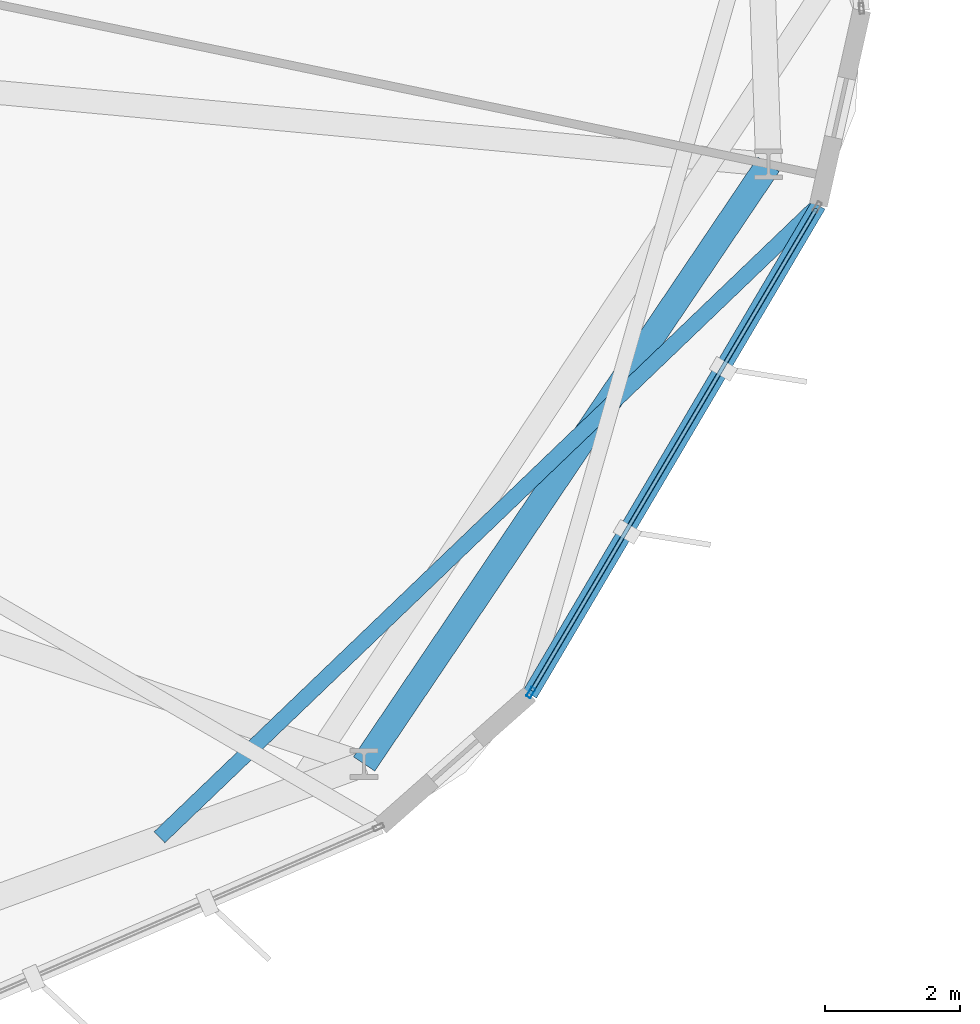
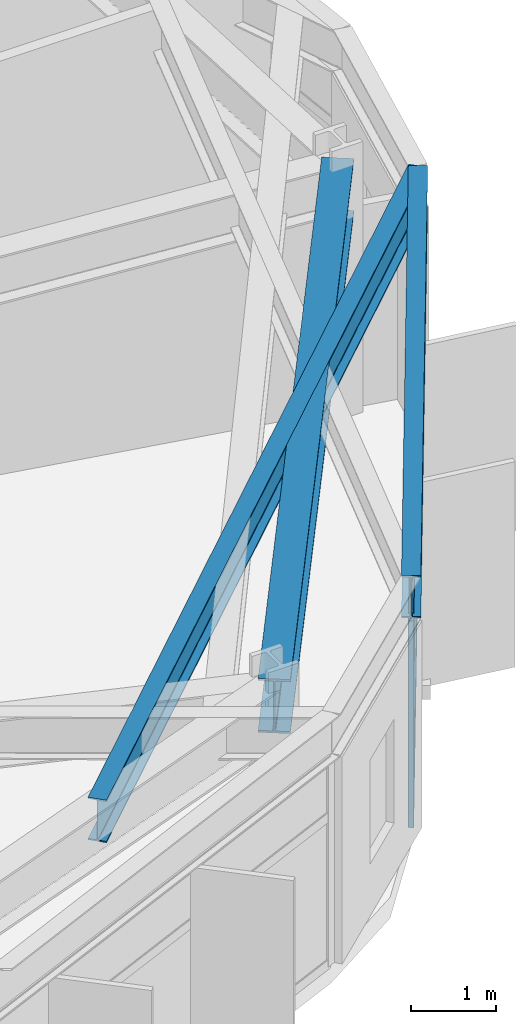
# One storey, part 10 of 23: 4 members, 3 beams, 1 element without a shape of its own.
"""IFC4 building model written with IfcOpenShell, lengths in metres."""

from ifc_helpers import new_model, si_unit, direction, frame, origin, origin_2d, place, context, subcontext, project, spatial, hollow_rectangle, i_section, extrude, material, layer, layer_set, material_profile, profile_set, type_object, element, aggregate, save


model = new_model("IFC4")

# Units and contexts
model_context = context("Model", 3, precision=1e-05, world=origin(), true_north=direction((0.0, 1.0)))
body_context = subcontext(model_context, "Body", "Model", "MODEL_VIEW")
ifc_project = project(units=[si_unit("LENGTHUNIT", "METRE"), si_unit("AREAUNIT", "SQUARE_METRE"), si_unit("VOLUMEUNIT", "CUBIC_METRE"), si_unit("PLANEANGLEUNIT", "RADIAN"), si_unit("MASSUNIT", "GRAM", prefix="KILO")], contexts=[model_context])

# Site, building, storey
site_placement = place(None, origin())
site = spatial("IfcSite", under=ifc_project, at=site_placement, CompositionType="ELEMENT")
building_placement = place(site_placement, origin())
building = spatial("IfcBuilding", under=site, at=building_placement, Name="Soratama Intermodal Tower", CompositionType="ELEMENT")
storey_placement = place(building_placement, frame((0.0, 0.0, 118.60009765625)))
storey = spatial("IfcBuildingStorey", under=building, at=storey_placement, Name="L28", CompositionType="ELEMENT", Elevation=118.60009765625)

# Beams
ifc_material_1 = material(Name="Structural steel ASTM A992 Grade 50", Category="steel")
ifc_material_profile_1 = material_profile(ifc_material_1, i_section(OverallWidth=0.382080078125, OverallDepth=0.779052734375, WebThickness=0.01806640625, FlangeThickness=0.030029296875, FilletRadius=0.01806640625, at=origin_2d()), Name="W30X191")
ifc_profile_set_1 = profile_set([ifc_material_profile_1], Name="Structural steel ASTM A992 Grade 50")
beam_type_1 = type_object("IfcBeamType", Name="BM-RING-W30X191", PredefinedType="BEAM", material=ifc_profile_set_1)
beam_1_placement = place(storey_placement, frame((55.7119140625, 11.2890625, 3.21044921875), z_axis=(0.559249807749, 0.828999187293, 0.0), x_axis=(-0.828999187293, 0.559249807749, 0.0)))
element("IfcBeam", 1, at=beam_1_placement, inside=storey, type_object=beam_type_1, Name="BM-L28-RING-09", PredefinedType="BEAM", context=body_context, shape_type="SweptSolid", body=[
    extrude(i_section(OverallWidth=0.382080078125, OverallDepth=0.779052734375, WebThickness=0.01806640625, FlangeThickness=0.030029296875, FilletRadius=0.01806640625, at=origin_2d()), origin(), (0.0, 0.0, 1.0), 10.75390625),
])
ifc_material_2 = material(Name="Structural steel ASTM A992 Grade 50", Category="steel")
ifc_material_profile_2 = material_profile(ifc_material_2, i_section(OverallWidth=0.22900390625, OverallDepth=0.612060546875, WebThickness=0.011962890625, FlangeThickness=0.01953125, FilletRadius=0.012939453125, at=origin_2d()), Name="W24X84")
ifc_profile_set_2 = profile_set([ifc_material_profile_2], Name="Structural steel ASTM A992 Grade 50")
beam_type_2 = type_object("IfcBeamType", Name="BM-SPN-W24X84", PredefinedType="SPANDREL", material=ifc_profile_set_2)
beam_2_placement = place(storey_placement, frame((58.177001953125, 12.324951171875, 3.2939453125), z_axis=(0.508212792617, 0.861231535315, 0.0), x_axis=(-0.861231535315, 0.508212792617, 0.0)))
element("IfcBeam", 2, at=beam_2_placement, inside=storey, type_object=beam_type_2, Name="BS-L28-F09", PredefinedType="SPANDREL", context=body_context, shape_type="SweptSolid", body=[
    extrude(i_section(OverallWidth=0.22900390625, OverallDepth=0.612060546875, WebThickness=0.011962890625, FlangeThickness=0.01953125, FilletRadius=0.012939453125, at=origin_2d()), origin(), (0.0, 0.0, 1.0), 8.44140625),
])
ifc_material_3 = material(Name="Structural steel ASTM A992 Grade 50", Category="steel")
ifc_material_profile_3 = material_profile(ifc_material_3, i_section(OverallWidth=0.22900390625, OverallDepth=0.612060546875, WebThickness=0.011962890625, FlangeThickness=0.01953125, FilletRadius=0.012939453125, at=origin_2d()), Name="W24X84")
ifc_profile_set_3 = profile_set([ifc_material_profile_3], Name="Structural steel ASTM A992 Grade 50")
beam_type_3 = type_object("IfcBeamType", Name="BM-TIE-W24X84", PredefinedType="BEAM", material=ifc_profile_set_3)
beam_3_placement = place(storey_placement, frame((52.669921875, 10.197998046875, 3.2939453125), z_axis=(0.72169129221, 0.692215052385, 0.0), x_axis=(-0.692215052385, 0.72169129221, 0.0)))
element("IfcBeam", 3, at=beam_3_placement, inside=storey, type_object=beam_type_3, Name="BM-L28-TIE1-09", PredefinedType="BEAM", context=body_context, shape_type="SweptSolid", body=[
    extrude(i_section(OverallWidth=0.22900390625, OverallDepth=0.612060546875, WebThickness=0.011962890625, FlangeThickness=0.01953125, FilletRadius=0.012939453125, at=origin_2d()), origin(), (0.0, 0.0, 1.0), 13.5751953125),
])

# Curtain wall, members
ifc_material_4 = material(Name="Double-glazed aluminium curtain wall", Category="aluminium")
ifc_layer = layer(ifc_material_4, 0.159912109375)
ifc_layer_set = layer_set([ifc_layer], Name="Double-glazed aluminium curtain wall")
curtain_wall_type = type_object("IfcCurtainWallType", Name="CW-SYS-3", PredefinedType="NOTDEFINED", material=ifc_layer_set)
curtain_wall_placement = place(storey_placement, origin())
curtain_wall = element("IfcCurtainWall", 4, at=curtain_wall_placement, inside=storey, type_object=curtain_wall_type, Name="L28 Faceted Curtain Wall F09", PredefinedType="NOTDEFINED")
ifc_material_5 = material(Name="Anodised aluminium AA 6063-T6", Category="aluminium")
ifc_material_profile_4 = material_profile(ifc_material_5, hollow_rectangle(XDim=0.070068359375, YDim=0.159912109375, WallThickness=0.0048828125, InnerFilletRadius=0.0048828125, OuterFilletRadius=0.010009765625, at=origin_2d()), Name="CWM160X70X5")
ifc_profile_set_4 = profile_set([ifc_material_profile_4], Name="Anodised aluminium AA 6063-T6")
member_type_1 = type_object("IfcMemberType", Name="MT-CWM-3", PredefinedType="MULLION", material=ifc_profile_set_4)
member_1_placement = place(storey_placement, frame((58.1923828125, 12.35107421875, 0.0), z_axis=(0.0, 0.0, 1.0), x_axis=(-0.861270190831, 0.508147280212, 0.0)))
member_1 = element("IfcMember", 5, at=member_1_placement, type_object=member_type_1, Name="CW-3 mullion 1", PredefinedType="MULLION", context=body_context, shape_type="SweptSolid", body=[
    extrude(hollow_rectangle(XDim=0.070068359375, YDim=0.159912109375, WallThickness=0.0048828125, InnerFilletRadius=0.0048828125, OuterFilletRadius=0.010009765625, at=origin_2d()), origin(), (0.0, 0.0, 1.0), 2.97900390625),
])
ifc_material_6 = material(Name="Anodised aluminium AA 6063-T6", Category="aluminium")
ifc_material_profile_5 = material_profile(ifc_material_6, hollow_rectangle(XDim=0.06494140625, YDim=0.14990234375, WallThickness=0.0048828125, InnerFilletRadius=0.0048828125, OuterFilletRadius=0.010009765625, at=origin_2d()), Name="CWT150X65X5")
ifc_profile_set_5 = profile_set([ifc_material_profile_5], Name="Anodised aluminium AA 6063-T6")
member_type_2 = type_object("IfcMemberType", Name="TT-CWT-1", PredefinedType="USERDEFINED", material=ifc_profile_set_5)
member_2_placement = place(storey_placement, frame((58.207763671875, 12.376953125, 0.02978515625), z_axis=(0.508139068169, 0.861275035863, 0.0), x_axis=(-0.861275035863, 0.508139068169, 0.0)))
member_2 = element("IfcMember", 6, at=member_2_placement, type_object=member_type_2, Name="CW-3 transom 1.1", ObjectType="TRANSOM", PredefinedType="USERDEFINED", context=body_context, shape_type="SweptSolid", body=[
    extrude(hollow_rectangle(XDim=0.06494140625, YDim=0.14990234375, WallThickness=0.0048828125, InnerFilletRadius=0.0048828125, OuterFilletRadius=0.010009765625, at=origin_2d()), origin(), (0.0, 0.0, 1.0), 8.321044921875),
])
member_3_placement = place(storey_placement, frame((58.207763671875, 12.376953125, 2.14990234375), z_axis=(0.508139068169, 0.861275035863, 0.0), x_axis=(-0.861275035863, 0.508139068169, 0.0)))
member_3 = element("IfcMember", 7, at=member_3_placement, type_object=member_type_2, Name="CW-3 transom 1.2", ObjectType="TRANSOM", PredefinedType="USERDEFINED", context=body_context, shape_type="SweptSolid", body=[
    extrude(hollow_rectangle(XDim=0.06494140625, YDim=0.14990234375, WallThickness=0.0048828125, InnerFilletRadius=0.0048828125, OuterFilletRadius=0.010009765625, at=origin_2d()), origin(), (0.0, 0.0, 1.0), 8.321044921875),
])
member_4_placement = place(storey_placement, frame((58.207763671875, 12.376953125, 2.948974609375), z_axis=(0.508139068169, 0.861275035863, 0.0), x_axis=(-0.861275035863, 0.508139068169, 0.0)))
member_4 = element("IfcMember", 8, at=member_4_placement, type_object=member_type_2, Name="CW-3 transom 1.3", ObjectType="TRANSOM", PredefinedType="USERDEFINED", context=body_context, shape_type="SweptSolid", body=[
    extrude(hollow_rectangle(XDim=0.06494140625, YDim=0.14990234375, WallThickness=0.0048828125, InnerFilletRadius=0.0048828125, OuterFilletRadius=0.010009765625, at=origin_2d()), origin(), (0.0, 0.0, 1.0), 8.321044921875),
])
aggregate(curtain_wall, [member_1, member_2, member_3, member_4])

save(model, "model.ifc")
